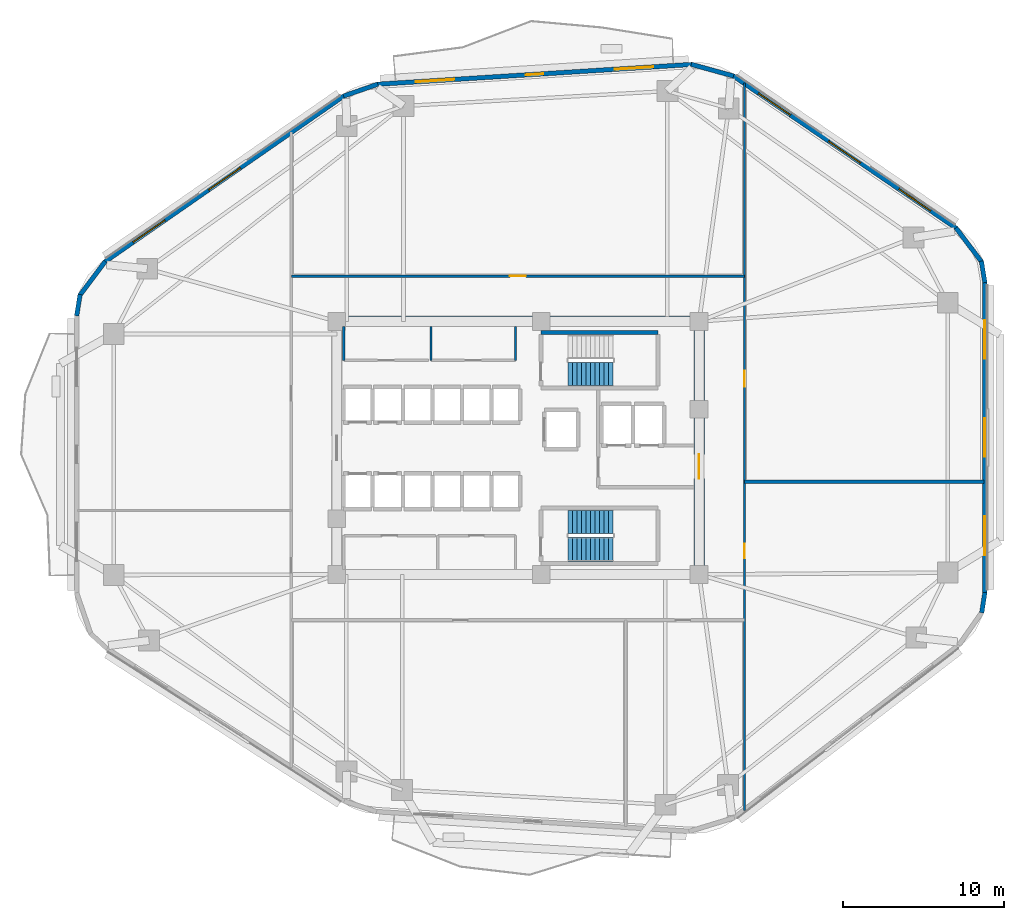
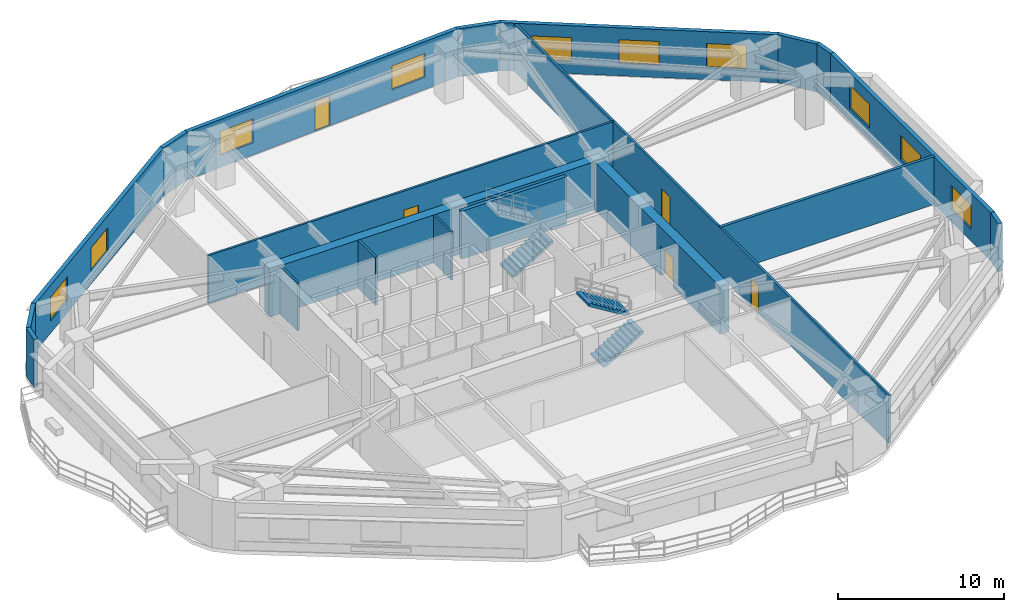
# One storey, part 5 of 9: 20 walls, 10 windows, 5 doors, 3 stair flights, 15 openings, 2 elements without a shape of their own.
"""IFC4 building model written with IfcOpenShell, lengths in metres."""

from ifc_helpers import new_model, si_unit, direction, frame, frame_2d, origin, place, context, subcontext, project, spatial, polyline, rectangle, outline, extrude, material, layer, layer_set, type_object, element, fill, aggregate, save


model = new_model("IFC4")

# Units and contexts
model_context = context("Model", 3, precision=1e-05, world=origin(), true_north=direction((0.0, 1.0)))
body_context = subcontext(model_context, "Body", "Model", "MODEL_VIEW")
ifc_project = project(units=[si_unit("LENGTHUNIT", "METRE"), si_unit("AREAUNIT", "SQUARE_METRE"), si_unit("VOLUMEUNIT", "CUBIC_METRE"), si_unit("PLANEANGLEUNIT", "RADIAN"), si_unit("MASSUNIT", "GRAM", prefix="KILO")], contexts=[model_context])

# Site, building, storey
site_placement = place(None, origin())
site = spatial("IfcSite", under=ifc_project, at=site_placement, CompositionType="ELEMENT")
building_placement = place(site_placement, origin())
building = spatial("IfcBuilding", under=site, at=building_placement, Name="Zulverin Broadcast Headquarters", CompositionType="ELEMENT")
storey_placement = place(building_placement, frame((0.0, 0.0, 74.39990234375)))
storey = spatial("IfcBuildingStorey", under=building, at=storey_placement, Name="L18", CompositionType="ELEMENT", Elevation=74.39990234375)

# Walls
ifc_material_1 = material(Name="Acoustic drywall steel stud", Category="steel")
ifc_layer_1 = layer(ifc_material_1, 0.199951171875, Name="Acoustic drywall steel stud", Category="steel")
ifc_layer_set_1 = layer_set([ifc_layer_1], Name="Acoustic drywall steel stud")
wall_type_1 = type_object("IfcWallType", Name="WL-ACOU-200", PredefinedType="PARTITIONING", material=ifc_layer_set_1)
wall_1_placement = place(storey_placement, frame((51.10009765625, 23.10009765625, 0.0), z_axis=(0.0, 0.0, 1.0), x_axis=(1.0, 0.0, 0.0)))
element("IfcWall", 1, at=wall_1_placement, inside=storey, type_object=wall_type_1, Name="L18 Room Partition Wall RP-06", PredefinedType="PARTITIONING", context=body_context, shape_type="SweptSolid", body=[
    extrude(rectangle(XDim=14.89501953125, YDim=0.199951171875, at=frame_2d((7.447509765625, 0.0))), origin(), (0.0, 0.0, 1.0), 3.525146484375),
])
ifc_material_2 = material(Name="Concrete C60/75", Category="concrete")
ifc_layer_2 = layer(ifc_material_2, 0.64990234375, Name="Concrete C60/75", Category="concrete")
ifc_layer_set_2 = layer_set([ifc_layer_2], Name="Concrete C60/75")
wall_type_2 = type_object("IfcWallType", Name="WL-CORE-650", PredefinedType="SHEAR", material=ifc_layer_set_2)
wall_2_placement = place(storey_placement, frame((25.39990234375, 33.074951171875, 0.0), z_axis=(0.0, 0.0, 1.0), x_axis=(1.0, 0.0, 0.0)))
element("IfcWall", 2, at=wall_2_placement, inside=storey, type_object=wall_type_2, Name="L18 Core North Shear Wall", PredefinedType="SHEAR", context=body_context, shape_type="SweptSolid", body=[
    extrude(rectangle(XDim=23.2001953125, YDim=0.64990234375, at=frame_2d((11.60009765625, 0.0))), origin(), (0.0, 0.0, 1.0), 3.525146484375),
])

# Wall, opening, door
wall_3_placement = place(storey_placement, frame((48.27490234375, 17.64990234375, 0.0), z_axis=(0.0, 0.0, 1.0), x_axis=(0.0, 1.0, 0.0)))
wall_3 = element("IfcWall", 3, at=wall_3_placement, inside=storey, type_object=wall_type_2, Name="L18 Core East Shear Wall", PredefinedType="SHEAR", context=body_context, shape_type="SweptSolid", body=[
    extrude(rectangle(XDim=15.10009765625, YDim=0.64990234375, at=frame_2d((7.550048828125, 0.0))), origin(), (0.0, 0.0, 1.0), 3.525146484375),
])
opening_1_placement = place(wall_3_placement, frame((5.64990234375, 0.0, 0.0)))
opening_1 = element("IfcOpeningElement", 4, at=opening_1_placement, cuts=wall_3, Name="Opening D-L18-CE1", PredefinedType="OPENING", context=body_context, shape_type="SweptSolid", body=[
    extrude(rectangle(XDim=1.5, YDim=2.14990234375, at=frame_2d((0.75, 1.074951171875))), frame((0.0, 0.3349609375, 0.0), z_axis=(0.0, -1.0, 0.0), x_axis=(1.0, 0.0, 0.0)), (0.0, 0.0, 1.0), 0.669921875),
])
ifc_material_3 = material(Name="Fire-rated glazed steel frame", Category="steel")
door_type_1 = type_object("IfcDoorType", Name="DR-COR-1500", OperationType="DOUBLE_DOOR_SINGLE_SWING", PredefinedType="DOOR", material=ifc_material_3)
door_1_placement = place(opening_1_placement, origin())
door_1 = element("IfcDoor", 5, at=door_1_placement, inside=storey, type_object=door_type_1, Name="L18 Firefighting Lobby East Corridor Door", OperationType="DOUBLE_DOOR_SINGLE_SWING", OverallHeight=2.14990234375, OverallWidth=1.5, PredefinedType="DOOR", context=body_context, shape_type="SweptSolid", body=[
    extrude(rectangle(XDim=1.5, YDim=2.14990234375, at=frame_2d((0.75, 1.074951171875))), frame((0.0, 0.02490234375, 0.0), z_axis=(0.0, -1.0, 0.0), x_axis=(1.0, 0.0, 0.0)), (0.0, 0.0, 1.0), 0.050048828125),
])
fill(opening_1, door_1)

# Wall, openings, windows
ifc_material_4 = material(Name="Insulated pale-metal clad concrete spandrel C40/50", Category="concrete")
ifc_layer_3 = layer(ifc_material_4, 0.280029296875, Name="Insulated pale-metal clad concrete spandrel C40/50", Category="concrete")
ifc_layer_set_3 = layer_set([ifc_layer_3], Name="Insulated pale-metal clad concrete spandrel C40/50")
wall_type_3 = type_object("IfcWallType", Name="WL-EXT-280", PredefinedType="STANDARD", material=ifc_layer_set_3)
wall_4_placement = place(storey_placement, frame((66.06005859375, 16.183349609375, 0.0), z_axis=(0.0, 0.0, 1.0), x_axis=(0.0, 1.0, 0.0)))
wall_4 = element("IfcWall", 6, at=wall_4_placement, inside=storey, type_object=wall_type_3, Name="L18 Pale-Metal Clad Spandrel Wall 3", PredefinedType="STANDARD", context=body_context, shape_type="SweptSolid", body=[
    extrude(rectangle(XDim=19.3310546875, YDim=0.280029296875, at=frame_2d((9.66552734375, 0.0))), origin(), (0.0, 0.0, 1.0), 3.525146484375),
])
opening_2_placement = place(wall_4_placement, frame((2.355224609375, 0.0, 0.89990234375)))
opening_2 = element("IfcOpeningElement", 7, at=opening_2_placement, cuts=wall_4, Name="Opening W-L18-E31", PredefinedType="OPENING", context=body_context, shape_type="SweptSolid", body=[
    extrude(rectangle(XDim=2.39990234375, YDim=1.75, at=frame_2d((1.199951171875, 0.875))), frame((0.0, 0.14990234375, 0.0), z_axis=(0.0, -1.0, 0.0), x_axis=(1.0, 0.0, 0.0)), (0.0, 0.0, 1.0), 0.300048828125),
])
opening_3_placement = place(wall_4_placement, frame((8.465576171875, 0.0, 0.89990234375)))
opening_3 = element("IfcOpeningElement", 8, at=opening_3_placement, cuts=wall_4, Name="Opening W-L18-E32", PredefinedType="OPENING", context=body_context, shape_type="SweptSolid", body=[
    extrude(rectangle(XDim=2.39990234375, YDim=1.75, at=frame_2d((1.199951171875, 0.875))), frame((0.0, 0.14990234375, 0.0), z_axis=(0.0, -1.0, 0.0), x_axis=(1.0, 0.0, 0.0)), (0.0, 0.0, 1.0), 0.300048828125),
])
opening_4_placement = place(wall_4_placement, frame((14.575927734375, 0.0, 0.89990234375)))
opening_4 = element("IfcOpeningElement", 9, at=opening_4_placement, cuts=wall_4, Name="Opening W-L18-E33", PredefinedType="OPENING", context=body_context, shape_type="SweptSolid", body=[
    extrude(rectangle(XDim=2.39990234375, YDim=1.75, at=frame_2d((1.199951171875, 0.875))), frame((0.0, 0.14990234375, 0.0), z_axis=(0.0, -1.0, 0.0), x_axis=(1.0, 0.0, 0.0)), (0.0, 0.0, 1.0), 0.300048828125),
])
ifc_material_5 = material(Name="Pale anodized aluminium frame with solar-control low-E double glazing", Category="aluminium")
window_type = type_object("IfcWindowType", Name="WIN-RIB-2400", PartitioningType="SINGLE_PANEL", PredefinedType="WINDOW", material=ifc_material_5)
window_1_placement = place(opening_2_placement, origin())
window_1 = element("IfcWindow", 10, at=window_1_placement, inside=storey, type_object=window_type, Name="L18 Ribbon Glazing Window 3 1", OverallHeight=1.75, OverallWidth=2.39990234375, PartitioningType="SINGLE_PANEL", PredefinedType="WINDOW", context=body_context, shape_type="SweptSolid", body=[
    extrude(rectangle(XDim=2.39990234375, YDim=1.75, at=frame_2d((1.199951171875, 0.875))), frame((0.0, 0.030029296875, 0.0), z_axis=(0.0, -1.0, 0.0), x_axis=(1.0, 0.0, 0.0)), (0.0, 0.0, 1.0), 0.06005859375),
])
fill(opening_2, window_1)
window_2_placement = place(opening_3_placement, origin())
window_2 = element("IfcWindow", 11, at=window_2_placement, inside=storey, type_object=window_type, Name="L18 Ribbon Glazing Window 3 2", OverallHeight=1.75, OverallWidth=2.39990234375, PartitioningType="SINGLE_PANEL", PredefinedType="WINDOW", context=body_context, shape_type="SweptSolid", body=[
    extrude(rectangle(XDim=2.39990234375, YDim=1.75, at=frame_2d((1.199951171875, 0.875))), frame((0.0, 0.030029296875, 0.0), z_axis=(0.0, -1.0, 0.0), x_axis=(1.0, 0.0, 0.0)), (0.0, 0.0, 1.0), 0.06005859375),
])
fill(opening_3, window_2)
window_3_placement = place(opening_4_placement, origin())
window_3 = element("IfcWindow", 12, at=window_3_placement, inside=storey, type_object=window_type, Name="L18 Ribbon Glazing Window 3 3", OverallHeight=1.75, OverallWidth=2.39990234375, PartitioningType="SINGLE_PANEL", PredefinedType="WINDOW", context=body_context, shape_type="SweptSolid", body=[
    extrude(rectangle(XDim=2.39990234375, YDim=1.75, at=frame_2d((1.199951171875, 0.875))), frame((0.0, 0.030029296875, 0.0), z_axis=(0.0, -1.0, 0.0), x_axis=(1.0, 0.0, 0.0)), (0.0, 0.0, 1.0), 0.06005859375),
])
fill(opening_4, window_3)

wall_5_placement = place(storey_placement, frame((64.289794921875, 38.8671875, 0.0), z_axis=(0.0, 0.0, 1.0), x_axis=(-0.825755550159, 0.564028165416, 0.0)))
wall_5 = element("IfcWall", 13, at=wall_5_placement, inside=storey, type_object=wall_type_3, Name="L18 Pale-Metal Clad Spandrel Wall 4", PredefinedType="STANDARD", context=body_context, shape_type="SweptSolid", body=[
    extrude(rectangle(XDim=16.848388671875, YDim=0.280029296875, at=frame_2d((8.42431640625, 0.0))), origin(), (0.0, 0.0, 1.0), 3.525146484375),
])
opening_5_placement = place(wall_5_placement, frame((1.94140625, 0.0, 0.89990234375)))
opening_5 = element("IfcOpeningElement", 14, at=opening_5_placement, cuts=wall_5, Name="Opening W-L18-E41", PredefinedType="OPENING", context=body_context, shape_type="SweptSolid", body=[
    extrude(rectangle(XDim=2.39990234375, YDim=1.75, at=frame_2d((1.199951171875, 0.875))), frame((0.0, 0.14990234375, 0.0), z_axis=(0.0, -1.0, 0.0), x_axis=(1.0, 0.0, 0.0)), (0.0, 0.0, 1.0), 0.300048828125),
])
opening_6_placement = place(wall_5_placement, frame((7.22412109375, 0.0, 0.89990234375)))
opening_6 = element("IfcOpeningElement", 15, at=opening_6_placement, cuts=wall_5, Name="Opening W-L18-E42", PredefinedType="OPENING", context=body_context, shape_type="SweptSolid", body=[
    extrude(rectangle(XDim=2.39990234375, YDim=1.75, at=frame_2d((1.199951171875, 0.875))), frame((0.0, 0.14990234375, 0.0), z_axis=(0.0, -1.0, 0.0), x_axis=(1.0, 0.0, 0.0)), (0.0, 0.0, 1.0), 0.300048828125),
])
opening_7_placement = place(wall_5_placement, frame((12.5068359375, 0.0, 0.89990234375)))
opening_7 = element("IfcOpeningElement", 16, at=opening_7_placement, cuts=wall_5, Name="Opening W-L18-E43", PredefinedType="OPENING", context=body_context, shape_type="SweptSolid", body=[
    extrude(rectangle(XDim=2.39990234375, YDim=1.75, at=frame_2d((1.199951171875, 0.875))), frame((0.0, 0.14990234375, 0.0), z_axis=(0.0, -1.0, 0.0), x_axis=(1.0, 0.0, 0.0)), (0.0, 0.0, 1.0), 0.300048828125),
])
window_4_placement = place(opening_5_placement, origin())
window_4 = element("IfcWindow", 17, at=window_4_placement, inside=storey, type_object=window_type, Name="L18 Ribbon Glazing Window 4 1", OverallHeight=1.75, OverallWidth=2.39990234375, PartitioningType="SINGLE_PANEL", PredefinedType="WINDOW", context=body_context, shape_type="SweptSolid", body=[
    extrude(rectangle(XDim=2.39990234375, YDim=1.75, at=frame_2d((1.199951171875, 0.875))), frame((0.0, 0.030029296875, 0.0), z_axis=(0.0, -1.0, 0.0), x_axis=(1.0, 0.0, 0.0)), (0.0, 0.0, 1.0), 0.06005859375),
])
fill(opening_5, window_4)
window_5_placement = place(opening_6_placement, origin())
window_5 = element("IfcWindow", 18, at=window_5_placement, inside=storey, type_object=window_type, Name="L18 Ribbon Glazing Window 4 2", OverallHeight=1.75, OverallWidth=2.39990234375, PartitioningType="SINGLE_PANEL", PredefinedType="WINDOW", context=body_context, shape_type="SweptSolid", body=[
    extrude(rectangle(XDim=2.39990234375, YDim=1.75, at=frame_2d((1.199951171875, 0.875))), frame((0.0, 0.030029296875, 0.0), z_axis=(0.0, -1.0, 0.0), x_axis=(1.0, 0.0, 0.0)), (0.0, 0.0, 1.0), 0.06005859375),
])
fill(opening_6, window_5)
window_6_placement = place(opening_7_placement, origin())
window_6 = element("IfcWindow", 19, at=window_6_placement, inside=storey, type_object=window_type, Name="L18 Ribbon Glazing Window 4 3", OverallHeight=1.75, OverallWidth=2.39990234375, PartitioningType="SINGLE_PANEL", PredefinedType="WINDOW", context=body_context, shape_type="SweptSolid", body=[
    extrude(rectangle(XDim=2.39990234375, YDim=1.75, at=frame_2d((1.199951171875, 0.875))), frame((0.0, 0.030029296875, 0.0), z_axis=(0.0, -1.0, 0.0), x_axis=(1.0, 0.0, 0.0)), (0.0, 0.0, 1.0), 0.06005859375),
])
fill(opening_7, window_6)

# Wall, openings, door, windows
wall_6_placement = place(storey_placement, frame((47.831787109375, 49.0693359375, 0.0), z_axis=(0.0, 0.0, 1.0), x_axis=(-0.998017725054, -0.062933460723, 0.0)))
wall_6 = element("IfcWall", 20, at=wall_6_placement, inside=storey, type_object=wall_type_3, Name="L18 Pale-Metal Clad Spandrel Wall 5", PredefinedType="STANDARD", context=body_context, shape_type="SweptSolid", body=[
    extrude(rectangle(XDim=19.62939453125, YDim=0.280029296875, at=frame_2d((9.814697265625, 0.0))), origin(), (0.0, 0.0, 1.0), 3.525146484375),
])
opening_8_placement = place(wall_6_placement, frame((9.264892578125, 0.0, 0.0)))
opening_8 = element("IfcOpeningElement", 21, at=opening_8_placement, cuts=wall_6, Name="Opening D-L18-TR5", PredefinedType="OPENING", context=body_context, shape_type="SweptSolid", body=[
    extrude(rectangle(XDim=1.10009765625, YDim=2.199951171875, at=frame_2d((0.550048828125, 1.10009765625))), frame((0.0, 0.14990234375, 0.0), z_axis=(0.0, -1.0, 0.0), x_axis=(1.0, 0.0, 0.0)), (0.0, 0.0, 1.0), 0.300048828125),
])
opening_9_placement = place(wall_6_placement, frame((2.40478515625, 0.0, 0.89990234375)))
opening_9 = element("IfcOpeningElement", 22, at=opening_9_placement, cuts=wall_6, Name="Opening W-L18-E51", PredefinedType="OPENING", context=body_context, shape_type="SweptSolid", body=[
    extrude(rectangle(XDim=2.39990234375, YDim=1.75, at=frame_2d((1.199951171875, 0.875))), frame((0.0, 0.14990234375, 0.0), z_axis=(0.0, -1.0, 0.0), x_axis=(1.0, 0.0, 0.0)), (0.0, 0.0, 1.0), 0.300048828125),
])
opening_10_placement = place(wall_6_placement, frame((14.82470703125, 0.0, 0.89990234375)))
opening_10 = element("IfcOpeningElement", 23, at=opening_10_placement, cuts=wall_6, Name="Opening W-L18-E52", PredefinedType="OPENING", context=body_context, shape_type="SweptSolid", body=[
    extrude(rectangle(XDim=2.39990234375, YDim=1.75, at=frame_2d((1.199951171875, 0.875))), frame((0.0, 0.14990234375, 0.0), z_axis=(0.0, -1.0, 0.0), x_axis=(1.0, 0.0, 0.0)), (0.0, 0.0, 1.0), 0.300048828125),
])
ifc_material_6 = material(Name="Thermally broken aluminium glazed", Category="aluminium")
door_type_2 = type_object("IfcDoorType", Name="DR-TERR-1100", OperationType="SINGLE_SWING_RIGHT", PredefinedType="DOOR", material=ifc_material_6)
door_2_placement = place(opening_8_placement, origin())
door_2 = element("IfcDoor", 24, at=door_2_placement, inside=storey, type_object=door_type_2, Name="L18 Planted Terrace Glazed Access Door 5", OperationType="SINGLE_SWING_RIGHT", OverallHeight=2.199951171875, OverallWidth=1.10009765625, PredefinedType="DOOR", context=body_context, shape_type="SweptSolid", body=[
    extrude(rectangle(XDim=1.10009765625, YDim=2.199951171875, at=frame_2d((0.550048828125, 1.10009765625))), frame((0.0, 0.02490234375, 0.0), z_axis=(0.0, -1.0, 0.0), x_axis=(1.0, 0.0, 0.0)), (0.0, 0.0, 1.0), 0.050048828125),
])
fill(opening_8, door_2)
window_7_placement = place(opening_9_placement, origin())
window_7 = element("IfcWindow", 25, at=window_7_placement, inside=storey, type_object=window_type, Name="L18 Ribbon Glazing Window 5 1", OverallHeight=1.75, OverallWidth=2.39990234375, PartitioningType="SINGLE_PANEL", PredefinedType="WINDOW", context=body_context, shape_type="SweptSolid", body=[
    extrude(rectangle(XDim=2.39990234375, YDim=1.75, at=frame_2d((1.199951171875, 0.875))), frame((0.0, 0.030029296875, 0.0), z_axis=(0.0, -1.0, 0.0), x_axis=(1.0, 0.0, 0.0)), (0.0, 0.0, 1.0), 0.06005859375),
])
fill(opening_9, window_7)
window_8_placement = place(opening_10_placement, origin())
window_8 = element("IfcWindow", 26, at=window_8_placement, inside=storey, type_object=window_type, Name="L18 Ribbon Glazing Window 5 2", OverallHeight=1.75, OverallWidth=2.39990234375, PartitioningType="SINGLE_PANEL", PredefinedType="WINDOW", context=body_context, shape_type="SweptSolid", body=[
    extrude(rectangle(XDim=2.39990234375, YDim=1.75, at=frame_2d((1.199951171875, 0.875))), frame((0.0, 0.030029296875, 0.0), z_axis=(0.0, -1.0, 0.0), x_axis=(1.0, 0.0, 0.0)), (0.0, 0.0, 1.0), 0.06005859375),
])
fill(opening_10, window_8)

# Wall, openings, windows
wall_7_placement = place(storey_placement, frame((26.181884765625, 47.11767578125, 0.0), z_axis=(0.0, 0.0, 1.0), x_axis=(-0.821547956627, -0.570139417127, 0.0)))
wall_7 = element("IfcWall", 27, at=wall_7_placement, inside=storey, type_object=wall_type_3, Name="L18 Pale-Metal Clad Spandrel Wall 6", PredefinedType="STANDARD", context=body_context, shape_type="SweptSolid", body=[
    extrude(rectangle(XDim=18.13232421875, YDim=0.280029296875, at=frame_2d((9.066162109375, 0.0))), origin(), (0.0, 0.0, 1.0), 3.525146484375),
])
opening_11_placement = place(wall_7_placement, frame((7.8662109375, 0.0, 0.89990234375)))
opening_11 = element("IfcOpeningElement", 28, at=opening_11_placement, cuts=wall_7, Name="Opening W-L18-E61", PredefinedType="OPENING", context=body_context, shape_type="SweptSolid", body=[
    extrude(rectangle(XDim=2.39990234375, YDim=1.75, at=frame_2d((1.199951171875, 0.875))), frame((0.0, 0.14990234375, 0.0), z_axis=(0.0, -1.0, 0.0), x_axis=(1.0, 0.0, 0.0)), (0.0, 0.0, 1.0), 0.300048828125),
])
opening_12_placement = place(wall_7_placement, frame((13.576904296875, 0.0, 0.89990234375)))
opening_12 = element("IfcOpeningElement", 29, at=opening_12_placement, cuts=wall_7, Name="Opening W-L18-E62", PredefinedType="OPENING", context=body_context, shape_type="SweptSolid", body=[
    extrude(rectangle(XDim=2.39990234375, YDim=1.75, at=frame_2d((1.199951171875, 0.875))), frame((0.0, 0.14990234375, 0.0), z_axis=(0.0, -1.0, 0.0), x_axis=(1.0, 0.0, 0.0)), (0.0, 0.0, 1.0), 0.300048828125),
])
window_9_placement = place(opening_11_placement, origin())
window_9 = element("IfcWindow", 30, at=window_9_placement, inside=storey, type_object=window_type, Name="L18 Ribbon Glazing Window 6 1", OverallHeight=1.75, OverallWidth=2.39990234375, PartitioningType="SINGLE_PANEL", PredefinedType="WINDOW", context=body_context, shape_type="SweptSolid", body=[
    extrude(rectangle(XDim=2.39990234375, YDim=1.75, at=frame_2d((1.199951171875, 0.875))), frame((0.0, 0.030029296875, 0.0), z_axis=(0.0, -1.0, 0.0), x_axis=(1.0, 0.0, 0.0)), (0.0, 0.0, 1.0), 0.06005859375),
])
fill(opening_11, window_9)
window_10_placement = place(opening_12_placement, origin())
window_10 = element("IfcWindow", 31, at=window_10_placement, inside=storey, type_object=window_type, Name="L18 Ribbon Glazing Window 6 2", OverallHeight=1.75, OverallWidth=2.39990234375, PartitioningType="SINGLE_PANEL", PredefinedType="WINDOW", context=body_context, shape_type="SweptSolid", body=[
    extrude(rectangle(XDim=2.39990234375, YDim=1.75, at=frame_2d((1.199951171875, 0.875))), frame((0.0, 0.030029296875, 0.0), z_axis=(0.0, -1.0, 0.0), x_axis=(1.0, 0.0, 0.0)), (0.0, 0.0, 1.0), 0.06005859375),
])
fill(opening_12, window_10)

# Walls
wall_8_placement = place(storey_placement, frame((65.867431640625, 14.942626953125, 0.0), z_axis=(0.0, 0.0, 1.0), x_axis=(0.152014078361, 0.988378328364, 0.0)))
element("IfcWall", 32, at=wall_8_placement, inside=storey, type_object=wall_type_3, Name="L18 Wind-Shaped Corner Spandrel Wall 2-2", PredefinedType="STANDARD", context=body_context, shape_type="SweptSolid", body=[
    extrude(rectangle(XDim=1.27685546875, YDim=0.280029296875, at=frame_2d((0.638427734375, 0.0))), origin(), (0.0, 0.0, 1.0), 3.525146484375),
])
wall_9_placement = place(storey_placement, frame((66.061767578125, 35.491943359375, 0.0), z_axis=(0.0, 0.0, 1.0), x_axis=(-0.161182073582, 0.986924687682, 0.0)))
element("IfcWall", 33, at=wall_9_placement, inside=storey, type_object=wall_type_3, Name="L18 Wind-Shaped Corner Spandrel Wall 3-1", PredefinedType="STANDARD", context=body_context, shape_type="SweptSolid", body=[
    extrude(rectangle(XDim=1.354248046875, YDim=0.280029296875, at=frame_2d((0.67724609375, 0.0))), origin(), (0.0, 0.0, 1.0), 3.525146484375),
])
wall_10_placement = place(storey_placement, frame((65.8701171875, 36.7666015625, 0.0), z_axis=(0.0, 0.0, 1.0), x_axis=(-0.603370463754, 0.797461023166, 0.0)))
element("IfcWall", 34, at=wall_10_placement, inside=storey, type_object=wall_type_3, Name="L18 Wind-Shaped Corner Spandrel Wall 3-2", PredefinedType="STANDARD", context=body_context, shape_type="SweptSolid", body=[
    extrude(rectangle(XDim=2.6728515625, YDim=0.280029296875, at=frame_2d((1.33642578125, 0.0))), origin(), (0.0, 0.0, 1.0), 3.525146484375),
])
wall_11_placement = place(storey_placement, frame((50.419189453125, 48.3505859375, 0.0), z_axis=(0.0, 0.0, 1.0), x_axis=(-0.964254516967, 0.264977784933, 0.0)))
element("IfcWall", 35, at=wall_11_placement, inside=storey, type_object=wall_type_3, Name="L18 Wind-Shaped Corner Spandrel Wall 4-1", PredefinedType="STANDARD", context=body_context, shape_type="SweptSolid", body=[
    extrude(rectangle(XDim=2.73095703125, YDim=0.280029296875, at=frame_2d((1.365478515625, 0.0))), origin(), (0.0, 0.0, 1.0), 3.525146484375),
])
wall_12_placement = place(storey_placement, frame((28.2783203125, 47.841552734375, 0.0), z_axis=(0.0, 0.0, 1.0), x_axis=(-0.9444559001, -0.328638179106, 0.0)))
element("IfcWall", 36, at=wall_12_placement, inside=storey, type_object=wall_type_3, Name="L18 Wind-Shaped Corner Spandrel Wall 5-1", PredefinedType="STANDARD", context=body_context, shape_type="SweptSolid", body=[
    extrude(rectangle(XDim=2.25537109375, YDim=0.280029296875, at=frame_2d((1.127685546875, 0.0))), origin(), (0.0, 0.0, 1.0), 3.525146484375),
])
wall_13_placement = place(storey_placement, frame((11.317626953125, 36.81103515625, 0.0), z_axis=(0.0, 0.0, 1.0), x_axis=(-0.599455152629, -0.800408345775, 0.0)))
element("IfcWall", 37, at=wall_13_placement, inside=storey, type_object=wall_type_3, Name="L18 Wind-Shaped Corner Spandrel Wall 6-1", PredefinedType="STANDARD", context=body_context, shape_type="SweptSolid", body=[
    extrude(rectangle(XDim=2.6533203125, YDim=0.280029296875, at=frame_2d((1.32666015625, 0.0))), origin(), (0.0, 0.0, 1.0), 3.525146484375),
])
wall_14_placement = place(storey_placement, frame((9.753173828125, 34.748779296875, 0.0), z_axis=(0.0, 0.0, 1.0), x_axis=(-0.160037671962, -0.987110907423, 0.0)))
element("IfcWall", 38, at=wall_14_placement, inside=storey, type_object=wall_type_3, Name="L18 Wind-Shaped Corner Spandrel Wall 6-2", PredefinedType="STANDARD", context=body_context, shape_type="SweptSolid", body=[
    extrude(rectangle(XDim=1.343994140625, YDim=0.280029296875, at=frame_2d((0.671875, 0.0))), origin(), (0.0, 0.0, 1.0), 3.525146484375),
])
ifc_material_7 = material(Name="Fire-rated gypsum stud partition", Category="gypsum")
ifc_layer_4 = layer(ifc_material_7, 0.14990234375, Name="Fire-rated gypsum stud partition", Category="gypsum")
ifc_layer_set_4 = layer_set([ifc_layer_4], Name="Fire-rated gypsum stud partition")
wall_type_4 = type_object("IfcWallType", Name="WL-PART-150", PredefinedType="PARTITIONING", material=ifc_layer_set_4)
for number, where, z_axis, x_axis, name in (
    (39, (26.169921875, 30.64990234375, 0.0), (0.0, 0.0, 1.0), (0.0, 1.0, 0.0), "L18 Core Male WC West Wall"),
    (40, (31.590087890625, 30.64990234375, 0.0), (0.0, 0.0, 1.0), (0.0, 1.0, 0.0), "L18 Core Accessible WC West Wall"),
    (41, (36.85009765625, 30.64990234375, 0.0), (0.0, 0.0, 1.0), (0.0, 1.0, 0.0), "L18 Core Accessible WC East Wall"),
):
    element("IfcWall", number, at=place(storey_placement, frame(where, z_axis=z_axis, x_axis=x_axis)), inside=storey, type_object=wall_type_4, Name=name, PredefinedType="PARTITIONING", context=body_context, shape_type="SweptSolid", body=[
        extrude(rectangle(XDim=2.10009765625, YDim=0.14990234375, at=frame_2d((1.050048828125, 0.0))), origin(), (0.0, 0.0, 1.0), 3.525146484375),
    ])

# Wall, openings, doors
wall_15_placement = place(storey_placement, frame((51.10009765625, 2.65087890625, 0.0), z_axis=(0.0, 0.0, 1.0), x_axis=(0.0, 1.0, 0.0)))
wall_15 = element("IfcWall", 42, at=wall_15_placement, inside=storey, type_object=wall_type_4, Name="L18 Gallery Partition Wall CG-01", PredefinedType="PARTITIONING", context=body_context, shape_type="SweptSolid", body=[
    extrude(rectangle(XDim=45.255126953125, YDim=0.14990234375, at=frame_2d((22.62744140625, 0.0))), origin(), (0.0, 0.0, 1.0), 3.525146484375),
])
opening_13_placement = place(wall_15_placement, frame((15.69921875, 0.0, 0.0)))
opening_13 = element("IfcOpeningElement", 43, at=opening_13_placement, cuts=wall_15, Name="Opening D-L18-06", PredefinedType="OPENING", context=body_context, shape_type="SweptSolid", body=[
    extrude(rectangle(XDim=0.89990234375, YDim=2.10009765625, at=frame_2d((0.449951171875, 1.050048828125))), frame((0.0, 0.0849609375, 0.0), z_axis=(0.0, -1.0, 0.0), x_axis=(1.0, 0.0, 0.0)), (0.0, 0.0, 1.0), 0.169921875),
])
opening_14_placement = place(wall_15_placement, frame((26.34912109375, 0.0, 0.0)))
opening_14 = element("IfcOpeningElement", 44, at=opening_14_placement, cuts=wall_15, Name="Opening D-L18-07", PredefinedType="OPENING", context=body_context, shape_type="SweptSolid", body=[
    extrude(rectangle(XDim=1.0, YDim=2.1201171875, at=frame_2d((0.5, 1.06005859375))), frame((0.0, 0.0849609375, 0.0), z_axis=(0.0, -1.0, 0.0), x_axis=(1.0, 0.0, 0.0)), (0.0, 0.0, 1.0), 0.169921875),
])
ifc_material_8 = material(Name="Hardwood veneer acoustic leaf", Category="wood")
door_type_3 = type_object("IfcDoorType", Name="DR-OFF-1000", OperationType="SINGLE_SWING_LEFT", PredefinedType="DOOR", material=ifc_material_8)
door_3_placement = place(opening_14_placement, origin())
door_3 = element("IfcDoor", 45, at=door_3_placement, inside=storey, type_object=door_type_3, Name="L18 Open Media Workplace Door", OperationType="SINGLE_SWING_LEFT", OverallHeight=2.1201171875, OverallWidth=1.0, PredefinedType="DOOR", context=body_context, shape_type="SweptSolid", body=[
    extrude(rectangle(XDim=1.0, YDim=2.1201171875, at=frame_2d((0.5, 1.06005859375))), frame((0.0, 0.02490234375, 0.0), z_axis=(0.0, -1.0, 0.0), x_axis=(1.0, 0.0, 0.0)), (0.0, 0.0, 1.0), 0.050048828125),
])
fill(opening_14, door_3)
ifc_material_9 = material(Name="Fire-rated hardwood veneer timber leaf", Category="wood")
door_type_4 = type_object("IfcDoorType", Name="DR-ROOM-900", OperationType="SINGLE_SWING_RIGHT", PredefinedType="DOOR", material=ifc_material_9)
door_4_placement = place(opening_13_placement, origin())
door_4 = element("IfcDoor", 46, at=door_4_placement, inside=storey, type_object=door_type_4, Name="L18 Client Reception Door", OperationType="SINGLE_SWING_RIGHT", OverallHeight=2.10009765625, OverallWidth=0.89990234375, PredefinedType="DOOR", context=body_context, shape_type="SweptSolid", body=[
    extrude(rectangle(XDim=0.89990234375, YDim=2.10009765625, at=frame_2d((0.449951171875, 1.050048828125))), frame((0.0, 0.02490234375, 0.0), z_axis=(0.0, -1.0, 0.0), x_axis=(1.0, 0.0, 0.0)), (0.0, 0.0, 1.0), 0.050048828125),
])
fill(opening_13, door_4)

# Wall, opening, door
wall_16_placement = place(storey_placement, frame((22.89990234375, 35.89990234375, 0.0), z_axis=(0.0, 0.0, 1.0), x_axis=(1.0, 0.0, 0.0)))
wall_16 = element("IfcWall", 47, at=wall_16_placement, inside=storey, type_object=wall_type_4, Name="L18 Gallery Partition Wall CG-07", PredefinedType="PARTITIONING", context=body_context, shape_type="SweptSolid", body=[
    extrude(rectangle(XDim=28.2001953125, YDim=0.14990234375, at=frame_2d((14.10009765625, 0.0))), origin(), (0.0, 0.0, 1.0), 3.525146484375),
])
opening_15_placement = place(wall_16_placement, frame((13.60009765625, 0.0, 0.0)))
opening_15 = element("IfcOpeningElement", 48, at=opening_15_placement, cuts=wall_16, Name="Opening D-L18-01", PredefinedType="OPENING", context=body_context, shape_type="SweptSolid", body=[
    extrude(rectangle(XDim=1.0, YDim=2.1201171875, at=frame_2d((0.5, 1.06005859375))), frame((0.0, 0.0849609375, 0.0), z_axis=(0.0, -1.0, 0.0), x_axis=(1.0, 0.0, 0.0)), (0.0, 0.0, 1.0), 0.169921875),
])
door_5_placement = place(opening_15_placement, origin())
door_5 = element("IfcDoor", 49, at=door_5_placement, inside=storey, type_object=door_type_3, Name="L18 Open Media Workplace Door", OperationType="SINGLE_SWING_LEFT", OverallHeight=2.1201171875, OverallWidth=1.0, PredefinedType="DOOR", context=body_context, shape_type="SweptSolid", body=[
    extrude(rectangle(XDim=1.0, YDim=2.1201171875, at=frame_2d((0.5, 1.06005859375))), frame((0.0, 0.02490234375, 0.0), z_axis=(0.0, -1.0, 0.0), x_axis=(1.0, 0.0, 0.0)), (0.0, 0.0, 1.0), 0.050048828125),
])
fill(opening_15, door_5)

# Wall
ifc_material_10 = material(Name="Concrete C50/60", Category="concrete")
ifc_layer_5 = layer(ifc_material_10, 0.25, Name="Concrete C50/60", Category="concrete")
ifc_layer_set_5 = layer_set([ifc_layer_5], Name="Concrete C50/60")
wall_type_5 = type_object("IfcWallType", Name="WL-SHAFT-250", PredefinedType="SHEAR", material=ifc_layer_set_5)
wall_17_placement = place(storey_placement, frame((38.425048828125, 32.375, 0.0), z_axis=(0.0, 0.0, 1.0), x_axis=(1.0, 0.0, 0.0)))
element("IfcWall", 50, at=wall_17_placement, inside=storey, type_object=wall_type_5, Name="L18 ST-1 Enclosure Wall N", PredefinedType="SHEAR", context=body_context, shape_type="SweptSolid", body=[
    extrude(rectangle(XDim=7.300048828125, YDim=0.25, at=frame_2d((3.64990234375, 0.0))), origin(), (0.0, 0.0, 1.0), 3.525146484375),
])

# Stair, stair flight
ifc_material_11 = material(Name="Concrete C40/50", Category="concrete")
stair_type = type_object("IfcStairType", Name="ST-CORE-1500", PredefinedType="HALF_TURN_STAIR", material=ifc_material_11)
stair_1_placement = place(storey_placement, origin())
stair_1 = element("IfcStair", 51, at=stair_1_placement, inside=storey, type_object=stair_type, Name="L18 Core Exit Stair ST-1", PredefinedType="HALF_TURN_STAIR")
stair_flight_type = type_object("IfcStairFlightType", Name="SF-CORE-1500", PredefinedType="STRAIGHT", material=ifc_material_11)
stair_flight_1_placement = place(storey_placement, frame((40.1298828125, 29.800048828125, 0.0), z_axis=(0.0, 0.0, 1.0), x_axis=(1.0, 0.0, 0.0)))
stair_flight_1 = element("IfcStairFlight", 52, at=stair_flight_1_placement, type_object=stair_flight_type, Name="ST-1 flight 1", NumberOfRisers=11, NumberOfTreads=10, PredefinedType="STRAIGHT", RiserHeight=0.172727273, TreadLength=0.28, context=body_context, shape_type="SweptSolid", body=[
    extrude(outline(polyline([(0.0, 0.0), (0.0, 0.172607421875), (0.280029296875, 0.172607421875), (0.280029296875, 0.345458984375), (0.56005859375, 0.345458984375), (0.56005859375, 0.51806640625), (0.840087890625, 0.51806640625), (0.840087890625, 0.69091796875), (1.1201171875, 0.69091796875), (1.1201171875, 0.863525390625), (1.39990234375, 0.863525390625), (1.39990234375, 1.036376953125), (1.679931640625, 1.036376953125), (1.679931640625, 1.208984375), (1.9599609375, 1.208984375), (1.9599609375, 1.3818359375), (2.239990234375, 1.3818359375), (2.239990234375, 1.554443359375), (2.52001953125, 1.554443359375), (2.52001953125, 1.727294921875), (2.800048828125, 1.727294921875), (2.800048828125, 1.89990234375), (2.800048828125, 1.551025390625), (0.285400390625, 0.0), (0.0, 0.0)])), frame((0.0, 0.75, 0.0), z_axis=(0.0, -1.0, 0.0), x_axis=(1.0, 0.0, 0.0)), (0.0, 0.0, 1.0), 1.5),
])
aggregate(stair_1, [stair_flight_1])

# Stair, stair flights
stair_2_placement = place(storey_placement, origin())
stair_2 = element("IfcStair", 53, at=stair_2_placement, inside=storey, type_object=stair_type, Name="L18 Core Exit Stair ST-2", PredefinedType="HALF_TURN_STAIR")
stair_flight_2_placement = place(storey_placement, frame((40.1298828125, 18.89990234375, 0.0), z_axis=(0.0, 0.0, 1.0), x_axis=(1.0, 0.0, 0.0)))
stair_flight_2 = element("IfcStairFlight", 54, at=stair_flight_2_placement, type_object=stair_flight_type, Name="ST-2 flight 1", NumberOfRisers=11, NumberOfTreads=10, PredefinedType="STRAIGHT", RiserHeight=0.172727273, TreadLength=0.28, context=body_context, shape_type="SweptSolid", body=[
    extrude(outline(polyline([(0.0, 0.0), (0.0, 0.172607421875), (0.280029296875, 0.172607421875), (0.280029296875, 0.345458984375), (0.56005859375, 0.345458984375), (0.56005859375, 0.51806640625), (0.840087890625, 0.51806640625), (0.840087890625, 0.69091796875), (1.1201171875, 0.69091796875), (1.1201171875, 0.863525390625), (1.39990234375, 0.863525390625), (1.39990234375, 1.036376953125), (1.679931640625, 1.036376953125), (1.679931640625, 1.208984375), (1.9599609375, 1.208984375), (1.9599609375, 1.3818359375), (2.239990234375, 1.3818359375), (2.239990234375, 1.554443359375), (2.52001953125, 1.554443359375), (2.52001953125, 1.727294921875), (2.800048828125, 1.727294921875), (2.800048828125, 1.89990234375), (2.800048828125, 1.551025390625), (0.285400390625, 0.0), (0.0, 0.0)])), frame((0.0, 0.75, 0.0), z_axis=(0.0, -1.0, 0.0), x_axis=(1.0, 0.0, 0.0)), (0.0, 0.0, 1.0), 1.5),
])
stair_flight_3_placement = place(storey_placement, frame((42.929931640625, 20.60009765625, 1.900146484375), z_axis=(0.0, 0.0, 1.0), x_axis=(-1.0, 0.0, 0.0)))
stair_flight_3 = element("IfcStairFlight", 55, at=stair_flight_3_placement, type_object=stair_flight_type, Name="ST-2 flight 2", NumberOfRisers=11, NumberOfTreads=10, PredefinedType="STRAIGHT", RiserHeight=0.172727273, TreadLength=0.28, context=body_context, shape_type="SweptSolid", body=[
    extrude(outline(polyline([(0.0, 0.0), (0.0, 0.172607421875), (0.280029296875, 0.172607421875), (0.280029296875, 0.345458984375), (0.56005859375, 0.345458984375), (0.56005859375, 0.51806640625), (0.840087890625, 0.51806640625), (0.840087890625, 0.69091796875), (1.1201171875, 0.69091796875), (1.1201171875, 0.863525390625), (1.39990234375, 0.863525390625), (1.39990234375, 1.036376953125), (1.679931640625, 1.036376953125), (1.679931640625, 1.208984375), (1.9599609375, 1.208984375), (1.9599609375, 1.3818359375), (2.239990234375, 1.3818359375), (2.239990234375, 1.554443359375), (2.52001953125, 1.554443359375), (2.52001953125, 1.727294921875), (2.800048828125, 1.727294921875), (2.800048828125, 1.89990234375), (2.800048828125, 1.551025390625), (0.285400390625, 0.0), (0.0, 0.0)])), frame((0.0, 0.75, 0.0), z_axis=(0.0, -1.0, 0.0), x_axis=(1.0, 0.0, 0.0)), (0.0, 0.0, 1.0), 1.5),
])
aggregate(stair_2, [stair_flight_2, stair_flight_3])

save(model, "model.ifc")
